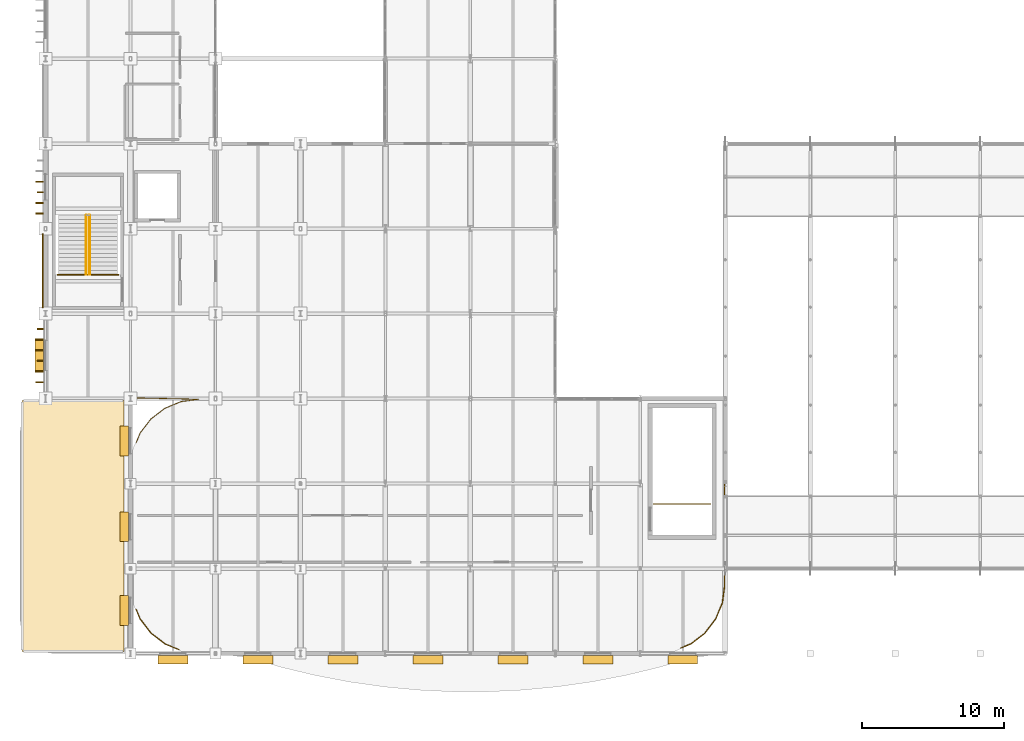
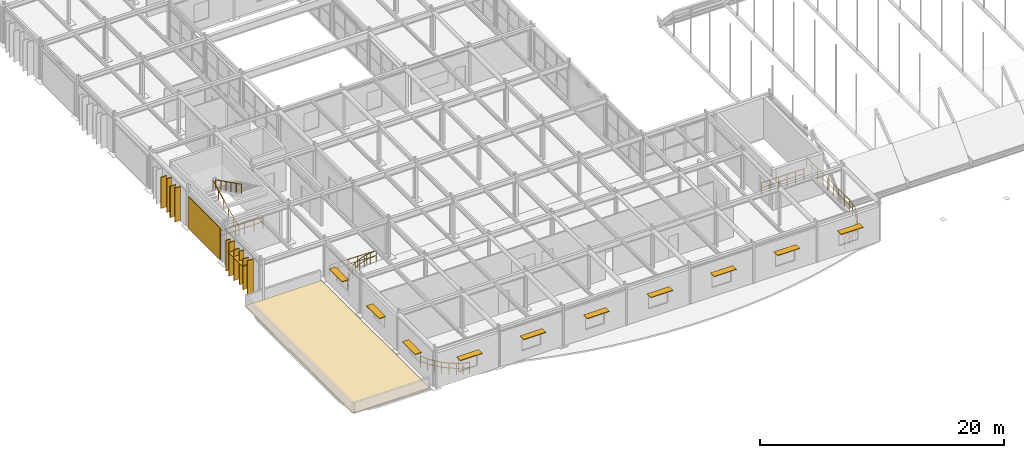
# One storey, part 104 of 116: 12 shading devices, 11 coverings, 7 railings.
"""IFC4 building model written with IfcOpenShell, lengths in metres."""

from ifc_helpers import new_model, si_unit, direction, frame, origin, origin_2d, place, context, subcontext, project, spatial, polyline, rectangle, circle, outline, extrude, material, layer, layer_set, type_object, element, save


model = new_model("IFC4")

# Units and contexts
model_context = context("Model", 3, precision=1e-05, world=origin(), true_north=direction((0.0, 1.0)))
body_context = subcontext(model_context, "Body", "Model", "MODEL_VIEW")
ifc_project = project(units=[si_unit("LENGTHUNIT", "METRE"), si_unit("AREAUNIT", "SQUARE_METRE"), si_unit("VOLUMEUNIT", "CUBIC_METRE"), si_unit("PLANEANGLEUNIT", "RADIAN"), si_unit("MASSUNIT", "GRAM", prefix="KILO")], contexts=[model_context])

# Site, building, storey
site_placement = place(None, origin())
site = spatial("IfcSite", under=ifc_project, at=site_placement, CompositionType="ELEMENT")
building_placement = place(site_placement, origin())
building = spatial("IfcBuilding", under=site, at=building_placement, Name="Varnakota Square Police Headquarters", CompositionType="ELEMENT")
storey_placement = place(building_placement, frame((0.0, 0.0, 9.300048828125)))
storey = spatial("IfcBuildingStorey", under=building, at=storey_placement, Name="L02", CompositionType="ELEMENT", Elevation=9.300048828125)

# Coverings
ifc_material_1 = material(Name="White Anodised Aluminium Vertical Facade Blade 420", Category="aluminium")
ifc_layer_1 = layer(ifc_material_1, 0.0849609375, Name="White Anodised Aluminium Vertical Facade Blade 420")
ifc_layer_set_1 = layer_set([ifc_layer_1], Name="White Anodised Aluminium Vertical Facade Blade 420")
covering_type_1 = type_object("IfcCoveringType", Name="COV-FIN-420", PredefinedType="CLADDING", material=ifc_layer_set_1)
covering_1_placement = place(storey_placement, frame((5.635009765625, 23.66259765625, 0.0400390625), z_axis=(0.0, 0.0, 1.0), x_axis=(0.0, 1.0, 0.0)))
element("IfcCovering", 1, at=covering_1_placement, inside=storey, type_object=covering_type_1, Name="Vertical aluminium facade fin FIN-0950", PredefinedType="CLADDING", context=body_context, shape_type="SweptSolid", body=[
    extrude(rectangle(XDim=0.0849609375, YDim=0.419921875, at=origin_2d()), origin(), (0.0, 0.0, 1.0), 3.360107421875),
])
covering_2_placement = place(storey_placement, frame((5.635009765625, 25.91259765625, 0.039794921875), z_axis=(0.0, 0.0, 1.0), x_axis=(0.0, 1.0, 0.0)))
element("IfcCovering", 2, at=covering_2_placement, inside=storey, type_object=covering_type_1, Name="Vertical aluminium facade fin FIN-0953", PredefinedType="CLADDING", context=body_context, shape_type="SweptSolid", body=[
    extrude(rectangle(XDim=0.0849609375, YDim=0.419921875, at=origin_2d()), origin(), (0.0, 0.0, 1.0), 3.080078125),
])
covering_3_placement = place(storey_placement, frame((5.635009765625, 35.5625, 0.0400390625), z_axis=(0.0, 0.0, 1.0), x_axis=(0.0, 1.0, 0.0)))
element("IfcCovering", 3, at=covering_3_placement, inside=storey, type_object=covering_type_1, Name="Vertical aluminium facade fin FIN-0956", PredefinedType="CLADDING", context=body_context, shape_type="SweptSolid", body=[
    extrude(rectangle(XDim=0.0849609375, YDim=0.419921875, at=origin_2d()), origin(), (0.0, 0.0, 1.0), 3.403564453125),
])
ifc_material_2 = material(Name="White Anodised Aluminium Vertical Facade Blade 550", Category="aluminium")
ifc_layer_2 = layer(ifc_material_2, 0.0849609375, Name="White Anodised Aluminium Vertical Facade Blade 550")
ifc_layer_set_2 = layer_set([ifc_layer_2], Name="White Anodised Aluminium Vertical Facade Blade 550")
covering_type_2 = type_object("IfcCoveringType", Name="COV-FIN-550", PredefinedType="CLADDING", material=ifc_layer_set_2)
covering_4_placement = place(storey_placement, frame((5.570068359375, 22.16259765625, 0.0400390625), z_axis=(0.0, 0.0, 1.0), x_axis=(0.0, 1.0, 0.0)))
element("IfcCovering", 4, at=covering_4_placement, inside=storey, type_object=covering_type_2, Name="Vertical aluminium facade fin FIN-0948", PredefinedType="CLADDING", context=body_context, shape_type="SweptSolid", body=[
    extrude(rectangle(XDim=0.0849609375, YDim=0.550048828125, at=origin_2d()), origin(), (0.0, 0.0, 1.0), 3.360107421875),
])
for number, where, z_axis, x_axis, name in (
    (5, (5.570068359375, 22.91259765625, 0.039794921875), (0.0, 0.0, 1.0), (0.0, 1.0, 0.0), "Vertical aluminium facade fin FIN-0949"),
    (6, (5.570068359375, 24.41259765625, 0.039794921875), (0.0, 0.0, 1.0), (0.0, 1.0, 0.0), "Vertical aluminium facade fin FIN-0951"),
):
    element("IfcCovering", number, at=place(storey_placement, frame(where, z_axis=z_axis, x_axis=x_axis)), inside=storey, type_object=covering_type_2, Name=name, PredefinedType="CLADDING", context=body_context, shape_type="SweptSolid", body=[
        extrude(rectangle(XDim=0.0849609375, YDim=0.550048828125, at=origin_2d()), origin(), (0.0, 0.0, 1.0), 3.080078125),
    ])
covering_5_placement = place(storey_placement, frame((5.570068359375, 25.16259765625, 0.0400390625), z_axis=(0.0, 0.0, 1.0), x_axis=(0.0, 1.0, 0.0)))
element("IfcCovering", 7, at=covering_5_placement, inside=storey, type_object=covering_type_2, Name="Vertical aluminium facade fin FIN-0952", PredefinedType="CLADDING", context=body_context, shape_type="SweptSolid", body=[
    extrude(rectangle(XDim=0.0849609375, YDim=0.550048828125, at=origin_2d()), origin(), (0.0, 0.0, 1.0), 3.360107421875),
])
covering_6_placement = place(storey_placement, frame((5.570068359375, 34.0625, 0.0400390625), z_axis=(0.0, 0.0, 1.0), x_axis=(0.0, 1.0, 0.0)))
element("IfcCovering", 8, at=covering_6_placement, inside=storey, type_object=covering_type_2, Name="Vertical aluminium facade fin FIN-0954", PredefinedType="CLADDING", context=body_context, shape_type="SweptSolid", body=[
    extrude(rectangle(XDim=0.0849609375, YDim=0.550048828125, at=origin_2d()), origin(), (0.0, 0.0, 1.0), 3.403564453125),
])
for number, where, z_axis, x_axis, name in (
    (9, (5.570068359375, 34.8125, 0.0400390625), (0.0, 0.0, 1.0), (0.0, 1.0, 0.0), "Vertical aluminium facade fin FIN-0955"),
    (10, (5.570068359375, 36.3125, 0.0400390625), (0.0, 0.0, 1.0), (0.0, 1.0, 0.0), "Vertical aluminium facade fin FIN-0957"),
):
    element("IfcCovering", number, at=place(storey_placement, frame(where, z_axis=z_axis, x_axis=x_axis)), inside=storey, type_object=covering_type_2, Name=name, PredefinedType="CLADDING", context=body_context, shape_type="SweptSolid", body=[
        extrude(rectangle(XDim=0.0849609375, YDim=0.550048828125, at=origin_2d()), origin(), (0.0, 0.0, 1.0), 3.12353515625),
    ])
ifc_material_3 = material(Name="High-Albedo White TPO Waterproofing Membrane")
ifc_layer_3 = layer(ifc_material_3, 0.0400390625, Name="High-Albedo White TPO Waterproofing Membrane")
ifc_layer_set_3 = layer_set([ifc_layer_3], Name="High-Albedo White TPO Waterproofing Membrane")
covering_type_3 = type_object("IfcCoveringType", Name="COV-RF-MEM", PredefinedType="ROOFING", material=ifc_layer_set_3)
covering_7_placement = place(storey_placement, origin())
element("IfcCovering", 11, at=covering_7_placement, inside=storey, type_object=covering_type_3, Name="Roof waterproofing membrane RF-L02-CANT", PredefinedType="ROOFING", context=body_context, shape_type="SweptSolid", body=[
    extrude(outline(polyline([(4.35009765625, 3.14990234375), (11.550048828125, 3.14990234375), (11.550048828125, 20.85009765625), (4.35009765625, 20.85009765625), (4.35009765625, 3.14990234375)])), origin(), (0.0, 0.0, 1.0), 0.0400390625),
])

# Railings
ifc_material_4 = material(Name="Galvanised Powder-Coated Steel Guardrail", Category="steel")
railing_type_1 = type_object("IfcRailingType", Name="RL-BAL-1150", PredefinedType="BALUSTRADE", material=ifc_material_4)
railing_1_placement = place(storey_placement, frame((12.39990234375, 17.88232421875, 0.0)))
element("IfcRailing", 12, at=railing_1_placement, inside=storey, type_object=railing_type_1, Name="Perimeter edge safety guard GD-AUTO-L02-053", PredefinedType="BALUSTRADE", context=body_context, shape_type="SweptSolid", body=[
    extrude(circle(Radius=0.02392578125, at=origin_2d()), frame((0.0, 0.0, 1.1259765625), z_axis=(0.382764159359, 0.923846090163, 0.0), x_axis=(-0.923846090163, 0.382764159359, 0.0)), (0.0, 0.0, 1.0), 0.74951171875),
    extrude(circle(Radius=0.01806640625, at=origin_2d()), frame((0.0, 0.0, 0.63232421875), z_axis=(0.382764159359, 0.923846090163, 0.0), x_axis=(-0.923846090163, 0.382764159359, 0.0)), (0.0, 0.0, 1.0), 0.74951171875),
    extrude(circle(Radius=0.02392578125, at=origin_2d()), frame((0.286865234375, 0.6923828125, 1.1259765625), z_axis=(0.608815903339, 0.793311537696, 0.0), x_axis=(-0.793311537696, 0.608815903339, 0.0)), (0.0, 0.0, 1.0), 1.239990234375),
    extrude(circle(Radius=0.01806640625, at=origin_2d()), frame((0.286865234375, 0.6923828125, 0.63232421875), z_axis=(0.608815903339, 0.793311537696, 0.0), x_axis=(-0.793311537696, 0.608815903339, 0.0)), (0.0, 0.0, 1.0), 1.239990234375),
    extrude(circle(Radius=0.02392578125, at=origin_2d()), frame((1.041748046875, 1.676025390625, 1.1259765625), z_axis=(0.793311537696, 0.608815903339, 0.0), x_axis=(-0.608815903339, 0.793311537696, 0.0)), (0.0, 0.0, 1.0), 1.239990234375),
    extrude(circle(Radius=0.01806640625, at=origin_2d()), frame((1.041748046875, 1.676025390625, 0.63232421875), z_axis=(0.793311537696, 0.608815903339, 0.0), x_axis=(-0.608815903339, 0.793311537696, 0.0)), (0.0, 0.0, 1.0), 1.239990234375),
    extrude(circle(Radius=0.02392578125, at=origin_2d()), frame((2.025390625, 2.430908203125, 1.1259765625), z_axis=(0.92391364461, 0.38260106809, 0.0), x_axis=(-0.38260106809, 0.92391364461, 0.0)), (0.0, 0.0, 1.0), 1.23974609375),
    extrude(circle(Radius=0.01806640625, at=origin_2d()), frame((2.025390625, 2.430908203125, 0.63232421875), z_axis=(0.92391364461, 0.38260106809, 0.0), x_axis=(-0.38260106809, 0.92391364461, 0.0)), (0.0, 0.0, 1.0), 1.23974609375),
    extrude(circle(Radius=0.02392578125, at=origin_2d()), frame((3.1708984375, 2.9052734375, 1.1259765625), z_axis=(0.991426936422, 0.130662273581, 0.0), x_axis=(-0.130662273581, 0.991426936422, 0.0)), (0.0, 0.0, 1.0), 1.246337890625),
    extrude(circle(Radius=0.01806640625, at=origin_2d()), frame((3.1708984375, 2.9052734375, 0.63232421875), z_axis=(0.991426936422, 0.130662273581, 0.0), x_axis=(-0.130662273581, 0.991426936422, 0.0)), (0.0, 0.0, 1.0), 1.246337890625),
    extrude(circle(Radius=0.02392578125, at=origin_2d()), frame((4.406494140625, 3.068115234375, 1.1259765625), z_axis=(-0.999744997509, 0.022581850135, 0.0), x_axis=(-0.022581850135, -0.999744997509, 0.0)), (0.0, 0.0, 1.0), 4.4111328125),
    extrude(circle(Radius=0.01806640625, at=origin_2d()), frame((4.406494140625, 3.068115234375, 0.63232421875), z_axis=(-0.999744997509, 0.022581850135, 0.0), x_axis=(-0.022581850135, -0.999744997509, 0.0)), (0.0, 0.0, 1.0), 4.4111328125),
    extrude(circle(Radius=0.02099609375, at=origin_2d()), origin(), (0.0, 0.0, 1.0), 1.101806640625),
    extrude(circle(Radius=0.02099609375, at=origin_2d()), frame((0.286865234375, 0.6923828125, 0.0)), (0.0, 0.0, 1.0), 1.101806640625),
    extrude(circle(Radius=0.02099609375, at=origin_2d()), frame((0.664306640625, 1.18408203125, 0.0)), (0.0, 0.0, 1.0), 1.101806640625),
    extrude(circle(Radius=0.02099609375, at=origin_2d()), frame((1.041748046875, 1.676025390625, 0.0)), (0.0, 0.0, 1.0), 1.101806640625),
    extrude(circle(Radius=0.02099609375, at=origin_2d()), frame((1.53369140625, 2.053466796875, 0.0)), (0.0, 0.0, 1.0), 1.101806640625),
    extrude(circle(Radius=0.02099609375, at=origin_2d()), frame((2.025390625, 2.430908203125, 0.0)), (0.0, 0.0, 1.0), 1.101806640625),
    extrude(circle(Radius=0.02099609375, at=origin_2d()), frame((2.59814453125, 2.66796875, 0.0)), (0.0, 0.0, 1.0), 1.101806640625),
    extrude(circle(Radius=0.02099609375, at=origin_2d()), frame((3.1708984375, 2.9052734375, 0.0)), (0.0, 0.0, 1.0), 1.101806640625),
    extrude(circle(Radius=0.02099609375, at=origin_2d()), frame((3.78857421875, 2.98681640625, 0.0)), (0.0, 0.0, 1.0), 1.101806640625),
    extrude(circle(Radius=0.02099609375, at=origin_2d()), frame((4.406494140625, 3.068115234375, 0.0)), (0.0, 0.0, 1.0), 1.101806640625),
    extrude(circle(Radius=0.02099609375, at=origin_2d()), frame((3.5244140625, 3.088134765625, 0.0)), (0.0, 0.0, 1.0), 1.101806640625),
    extrude(circle(Radius=0.02099609375, at=origin_2d()), frame((2.642578125, 3.10791015625, 0.0)), (0.0, 0.0, 1.0), 1.101806640625),
    extrude(circle(Radius=0.02099609375, at=origin_2d()), frame((1.760498046875, 3.1279296875, 0.0)), (0.0, 0.0, 1.0), 1.101806640625),
    extrude(circle(Radius=0.02099609375, at=origin_2d()), frame((0.878662109375, 3.147705078125, 0.0)), (0.0, 0.0, 1.0), 1.101806640625),
    extrude(circle(Radius=0.02099609375, at=origin_2d()), frame((-0.00341796875, 3.167724609375, 0.0)), (0.0, 0.0, 1.0), 1.101806640625),
])
railing_2_placement = place(storey_placement, frame((53.949951171875, 14.9287109375, 0.0)))
element("IfcRailing", 13, at=railing_2_placement, inside=storey, type_object=railing_type_1, Name="Perimeter edge safety guard GD-AUTO-L02-064", PredefinedType="BALUSTRADE", context=body_context, shape_type="SweptSolid", body=[
    extrude(circle(Radius=0.02392578125, at=origin_2d()), frame((0.0, 0.0, 1.1259765625), z_axis=(0.0, -1.0, 0.0), x_axis=(1.0, 0.0, 0.0)), (0.0, 0.0, 1.0), 7.12548828125),
    extrude(circle(Radius=0.01806640625, at=origin_2d()), frame((0.0, 0.0, 0.63232421875), z_axis=(0.0, -1.0, 0.0), x_axis=(1.0, 0.0, 0.0)), (0.0, 0.0, 1.0), 7.12548828125),
    extrude(circle(Radius=0.02392578125, at=origin_2d()), frame((0.0, -7.12548828125, 1.1259765625), z_axis=(-0.130606925998, -0.991434229226, 0.0), x_axis=(0.991434229226, -0.130606925998, 0.0)), (0.0, 0.0, 1.0), 1.2431640625),
    extrude(circle(Radius=0.01806640625, at=origin_2d()), frame((0.0, -7.12548828125, 0.63232421875), z_axis=(-0.130606925998, -0.991434229226, 0.0), x_axis=(0.991434229226, -0.130606925998, 0.0)), (0.0, 0.0, 1.0), 1.2431640625),
    extrude(circle(Radius=0.02392578125, at=origin_2d()), frame((-0.162353515625, -8.35791015625, 1.1259765625), z_axis=(-0.38260106809, -0.92391364461, 0.0), x_axis=(0.92391364461, -0.38260106809, 0.0)), (0.0, 0.0, 1.0), 1.23974609375),
    extrude(circle(Radius=0.01806640625, at=origin_2d()), frame((-0.162353515625, -8.35791015625, 0.63232421875), z_axis=(-0.38260106809, -0.92391364461, 0.0), x_axis=(0.92391364461, -0.38260106809, 0.0)), (0.0, 0.0, 1.0), 1.23974609375),
    extrude(circle(Radius=0.02392578125, at=origin_2d()), frame((-0.63671875, -9.50341796875, 1.1259765625), z_axis=(-0.608815903339, -0.793311537696, 0.0), x_axis=(0.793311537696, -0.608815903339, 0.0)), (0.0, 0.0, 1.0), 1.239990234375),
    extrude(circle(Radius=0.01806640625, at=origin_2d()), frame((-0.63671875, -9.50341796875, 0.63232421875), z_axis=(-0.608815903339, -0.793311537696, 0.0), x_axis=(0.793311537696, -0.608815903339, 0.0)), (0.0, 0.0, 1.0), 1.239990234375),
    extrude(circle(Radius=0.02392578125, at=origin_2d()), frame((-1.3916015625, -10.487060546875, 1.1259765625), z_axis=(-0.793311537696, -0.608815903339, 0.0), x_axis=(0.608815903339, -0.793311537696, 0.0)), (0.0, 0.0, 1.0), 1.239990234375),
    extrude(circle(Radius=0.01806640625, at=origin_2d()), frame((-1.3916015625, -10.487060546875, 0.63232421875), z_axis=(-0.793311537696, -0.608815903339, 0.0), x_axis=(0.608815903339, -0.793311537696, 0.0)), (0.0, 0.0, 1.0), 1.239990234375),
    extrude(circle(Radius=0.02392578125, at=origin_2d()), frame((-2.375244140625, -11.241943359375, 1.1259765625), z_axis=(-0.923846090163, -0.382764159359, 0.0), x_axis=(0.382764159359, -0.923846090163, 0.0)), (0.0, 0.0, 1.0), 0.74951171875),
    extrude(circle(Radius=0.01806640625, at=origin_2d()), frame((-2.375244140625, -11.241943359375, 0.63232421875), z_axis=(-0.923846090163, -0.382764159359, 0.0), x_axis=(0.382764159359, -0.923846090163, 0.0)), (0.0, 0.0, 1.0), 0.74951171875),
    extrude(circle(Radius=0.02099609375, at=origin_2d()), origin(), (0.0, 0.0, 1.0), 1.101806640625),
    extrude(circle(Radius=0.02099609375, at=origin_2d()), frame((0.0, -0.890625, 0.0)), (0.0, 0.0, 1.0), 1.101806640625),
    extrude(circle(Radius=0.02099609375, at=origin_2d()), frame((0.0, -1.78125, 0.0)), (0.0, 0.0, 1.0), 1.101806640625),
    extrude(circle(Radius=0.02099609375, at=origin_2d()), frame((0.0, -2.672119140625, 0.0)), (0.0, 0.0, 1.0), 1.101806640625),
    extrude(circle(Radius=0.02099609375, at=origin_2d()), frame((0.0, -3.562744140625, 0.0)), (0.0, 0.0, 1.0), 1.101806640625),
    extrude(circle(Radius=0.02099609375, at=origin_2d()), frame((0.0, -4.453369140625, 0.0)), (0.0, 0.0, 1.0), 1.101806640625),
    extrude(circle(Radius=0.02099609375, at=origin_2d()), frame((0.0, -5.34423828125, 0.0)), (0.0, 0.0, 1.0), 1.101806640625),
    extrude(circle(Radius=0.02099609375, at=origin_2d()), frame((0.0, -6.23486328125, 0.0)), (0.0, 0.0, 1.0), 1.101806640625),
    extrude(circle(Radius=0.02099609375, at=origin_2d()), frame((0.0, -7.12548828125, 0.0)), (0.0, 0.0, 1.0), 1.101806640625),
    extrude(circle(Radius=0.02099609375, at=origin_2d()), frame((-0.0810546875, -7.74169921875, 0.0)), (0.0, 0.0, 1.0), 1.101806640625),
    extrude(circle(Radius=0.02099609375, at=origin_2d()), frame((-0.162353515625, -8.35791015625, 0.0)), (0.0, 0.0, 1.0), 1.101806640625),
    extrude(circle(Radius=0.02099609375, at=origin_2d()), frame((-0.3994140625, -8.9306640625, 0.0)), (0.0, 0.0, 1.0), 1.101806640625),
    extrude(circle(Radius=0.02099609375, at=origin_2d()), frame((-0.63671875, -9.50341796875, 0.0)), (0.0, 0.0, 1.0), 1.101806640625),
    extrude(circle(Radius=0.02099609375, at=origin_2d()), frame((-1.01416015625, -9.9951171875, 0.0)), (0.0, 0.0, 1.0), 1.101806640625),
    extrude(circle(Radius=0.02099609375, at=origin_2d()), frame((-1.3916015625, -10.487060546875, 0.0)), (0.0, 0.0, 1.0), 1.101806640625),
    extrude(circle(Radius=0.02099609375, at=origin_2d()), frame((-1.88330078125, -10.864501953125, 0.0)), (0.0, 0.0, 1.0), 1.101806640625),
    extrude(circle(Radius=0.02099609375, at=origin_2d()), frame((-2.375244140625, -11.241943359375, 0.0)), (0.0, 0.0, 1.0), 1.101806640625),
    extrude(circle(Radius=0.02099609375, at=origin_2d()), frame((-3.067626953125, -11.52880859375, 0.0)), (0.0, 0.0, 1.0), 1.101806640625),
])
railing_3_placement = place(storey_placement, frame((15.4072265625, 3.280029296875, 0.0)))
element("IfcRailing", 14, at=railing_3_placement, inside=storey, type_object=railing_type_1, Name="Perimeter edge safety guard GD-AUTO-L02-065", PredefinedType="BALUSTRADE", context=body_context, shape_type="SweptSolid", body=[
    extrude(circle(Radius=0.02392578125, at=origin_2d()), frame((0.0, 0.0, 1.1259765625), z_axis=(-0.923876848216, 0.382689912762, 0.0), x_axis=(-0.382689912762, -0.923876848216, 0.0)), (0.0, 0.0, 1.0), 1.062744140625),
    extrude(circle(Radius=0.01806640625, at=origin_2d()), frame((0.0, 0.0, 0.63232421875), z_axis=(-0.923876848216, 0.382689912762, 0.0), x_axis=(-0.382689912762, -0.923876848216, 0.0)), (0.0, 0.0, 1.0), 1.062744140625),
    extrude(circle(Radius=0.02392578125, at=origin_2d()), frame((-0.98193359375, 0.40673828125, 1.1259765625), z_axis=(-0.793311537696, 0.608815903339, 0.0), x_axis=(-0.608815903339, -0.793311537696, 0.0)), (0.0, 0.0, 1.0), 1.239990234375),
    extrude(circle(Radius=0.01806640625, at=origin_2d()), frame((-0.98193359375, 0.40673828125, 0.63232421875), z_axis=(-0.793311537696, 0.608815903339, 0.0), x_axis=(-0.608815903339, -0.793311537696, 0.0)), (0.0, 0.0, 1.0), 1.239990234375),
    extrude(circle(Radius=0.02392578125, at=origin_2d()), frame((-1.965576171875, 1.16162109375, 1.1259765625), z_axis=(-0.608815903339, 0.793311537696, 0.0), x_axis=(-0.793311537696, -0.608815903339, 0.0)), (0.0, 0.0, 1.0), 1.239990234375),
    extrude(circle(Radius=0.01806640625, at=origin_2d()), frame((-1.965576171875, 1.16162109375, 0.63232421875), z_axis=(-0.608815903339, 0.793311537696, 0.0), x_axis=(-0.793311537696, -0.608815903339, 0.0)), (0.0, 0.0, 1.0), 1.239990234375),
    extrude(circle(Radius=0.02392578125, at=origin_2d()), frame((-2.720458984375, 2.145263671875, 1.1259765625), z_axis=(-0.382764159359, 0.923846090163, 0.0), x_axis=(-0.923846090163, -0.382764159359, 0.0)), (0.0, 0.0, 1.0), 0.74951171875),
    extrude(circle(Radius=0.01806640625, at=origin_2d()), frame((-2.720458984375, 2.145263671875, 0.63232421875), z_axis=(-0.382764159359, 0.923846090163, 0.0), x_axis=(-0.923846090163, -0.382764159359, 0.0)), (0.0, 0.0, 1.0), 0.74951171875),
    extrude(circle(Radius=0.02099609375, at=origin_2d()), origin(), (0.0, 0.0, 1.0), 1.101806640625),
    extrude(circle(Radius=0.02099609375, at=origin_2d()), frame((-0.490966796875, 0.203369140625, 0.0)), (0.0, 0.0, 1.0), 1.101806640625),
    extrude(circle(Radius=0.02099609375, at=origin_2d()), frame((-0.98193359375, 0.40673828125, 0.0)), (0.0, 0.0, 1.0), 1.101806640625),
    extrude(circle(Radius=0.02099609375, at=origin_2d()), frame((-1.4736328125, 0.7841796875, 0.0)), (0.0, 0.0, 1.0), 1.101806640625),
    extrude(circle(Radius=0.02099609375, at=origin_2d()), frame((-1.965576171875, 1.16162109375, 0.0)), (0.0, 0.0, 1.0), 1.101806640625),
    extrude(circle(Radius=0.02099609375, at=origin_2d()), frame((-2.343017578125, 1.6533203125, 0.0)), (0.0, 0.0, 1.0), 1.101806640625),
    extrude(circle(Radius=0.02099609375, at=origin_2d()), frame((-2.720458984375, 2.145263671875, 0.0)), (0.0, 0.0, 1.0), 1.101806640625),
    extrude(circle(Radius=0.02099609375, at=origin_2d()), frame((-3.00732421875, 2.837646484375, 0.0)), (0.0, 0.0, 1.0), 1.101806640625),
])
ifc_material_5 = material(Name="Brushed Stainless Steel Tubular Handrail", Category="steel")
railing_type_2 = type_object("IfcRailingType", Name="RL-HND-920", PredefinedType="HANDRAIL", material=ifc_material_5)
railing_4_placement = place(storey_placement, frame((8.8798828125, 29.75, 0.0)))
element("IfcRailing", 15, at=railing_4_placement, inside=storey, type_object=railing_type_2, Name="Stair flight handrail HR-L02-047", PredefinedType="HANDRAIL", context=body_context, shape_type="SweptSolid", body=[
    extrude(circle(Radius=0.02392578125, at=origin_2d()), frame((0.0, 0.0, 0.89599609375), z_axis=(0.0, 0.894468775824, 0.447130416184), x_axis=(-1.0, 0.0, 0.0)), (0.0, 0.0, 1.0), 4.6962890625),
    extrude(circle(Radius=0.02099609375, at=origin_2d()), origin(), (0.0, 0.0, 1.0), 0.871826171875),
    extrude(circle(Radius=0.02099609375, at=origin_2d()), frame((0.0, 0.840087890625, 0.419921875)), (0.0, 0.0, 1.0), 0.871826171875),
    extrude(circle(Radius=0.02099609375, at=origin_2d()), frame((0.0, 1.68017578125, 0.83984375)), (0.0, 0.0, 1.0), 0.871826171875),
    extrude(circle(Radius=0.02099609375, at=origin_2d()), frame((0.0, 2.5205078125, 1.260009765625)), (0.0, 0.0, 1.0), 0.871826171875),
    extrude(circle(Radius=0.02099609375, at=origin_2d()), frame((0.0, 3.360595703125, 1.679931640625)), (0.0, 0.0, 1.0), 0.871826171875),
    extrude(circle(Radius=0.02099609375, at=origin_2d()), frame((0.0, 4.20068359375, 2.099853515625)), (0.0, 0.0, 1.0), 0.871826171875),
])
railing_5_placement = place(storey_placement, frame((9.1201171875, 33.95068359375, 2.099853515625)))
element("IfcRailing", 16, at=railing_5_placement, inside=storey, type_object=railing_type_2, Name="Stair flight handrail HR-L02-048", PredefinedType="HANDRAIL", context=body_context, shape_type="SweptSolid", body=[
    extrude(circle(Radius=0.02392578125, at=origin_2d()), frame((0.0, 0.0, 0.89599609375), z_axis=(0.0, -0.894447983895, 0.447172007292), x_axis=(1.0, 0.0, 0.0)), (0.0, 0.0, 1.0), 4.6962890625),
    extrude(circle(Radius=0.02099609375, at=origin_2d()), origin(), (0.0, 0.0, 1.0), 0.871826171875),
    extrude(circle(Radius=0.02099609375, at=origin_2d()), frame((0.0, -0.840087890625, 0.419921875)), (0.0, 0.0, 1.0), 0.871826171875),
    extrude(circle(Radius=0.02099609375, at=origin_2d()), frame((0.0, -1.68017578125, 0.840087890625)), (0.0, 0.0, 1.0), 0.871826171875),
    extrude(circle(Radius=0.02099609375, at=origin_2d()), frame((0.0, -2.5205078125, 1.260009765625)), (0.0, 0.0, 1.0), 0.871826171875),
    extrude(circle(Radius=0.02099609375, at=origin_2d()), frame((0.0, -3.360595703125, 1.68017578125)), (0.0, 0.0, 1.0), 0.871826171875),
    extrude(circle(Radius=0.02099609375, at=origin_2d()), frame((0.0, -4.20068359375, 2.10009765625)), (0.0, 0.0, 1.0), 0.871826171875),
])
ifc_material_6 = material(Name="Laminated Glass and Stainless Steel Balustrade", Category="steel")
railing_type_3 = type_object("IfcRailingType", Name="RL-INT-1150", PredefinedType="BALUSTRADE", material=ifc_material_6)
railing_6_placement = place(storey_placement, frame((6.840087890625, 29.75, 0.0)))
element("IfcRailing", 17, at=railing_6_placement, inside=storey, type_object=railing_type_3, Name="Stair well safety guard C4 L02", PredefinedType="BALUSTRADE", context=body_context, shape_type="SweptSolid", body=[
    extrude(circle(Radius=0.02392578125, at=origin_2d()), frame((0.0, 0.0, 1.1259765625), z_axis=(1.0, 0.0, 0.0), x_axis=(0.0, 1.0, 0.0)), (0.0, 0.0, 1.0), 4.31982421875),
    extrude(circle(Radius=0.01806640625, at=origin_2d()), frame((0.0, 0.0, 0.63232421875), z_axis=(1.0, 0.0, 0.0), x_axis=(0.0, 1.0, 0.0)), (0.0, 0.0, 1.0), 4.31982421875),
    extrude(circle(Radius=0.02099609375, at=origin_2d()), origin(), (0.0, 0.0, 1.0), 1.101806640625),
    extrude(circle(Radius=0.02099609375, at=origin_2d()), frame((0.864013671875, 0.0, 0.0)), (0.0, 0.0, 1.0), 1.101806640625),
    extrude(circle(Radius=0.02099609375, at=origin_2d()), frame((1.72802734375, 0.0, 0.0)), (0.0, 0.0, 1.0), 1.101806640625),
    extrude(circle(Radius=0.02099609375, at=origin_2d()), frame((2.591796875, 0.0, 0.0)), (0.0, 0.0, 1.0), 1.101806640625),
    extrude(circle(Radius=0.02099609375, at=origin_2d()), frame((3.455810546875, 0.0, 0.0)), (0.0, 0.0, 1.0), 1.101806640625),
    extrude(circle(Radius=0.02099609375, at=origin_2d()), frame((4.31982421875, 0.0, 0.0)), (0.0, 0.0, 1.0), 1.101806640625),
])
railing_7_placement = place(storey_placement, frame((48.93994140625, 13.550048828125, 0.0)))
element("IfcRailing", 18, at=railing_7_placement, inside=storey, type_object=railing_type_3, Name="Stair well safety guard C10 L02", PredefinedType="BALUSTRADE", context=body_context, shape_type="SweptSolid", body=[
    extrude(circle(Radius=0.02392578125, at=origin_2d()), frame((0.0, 0.0, 1.1259765625), z_axis=(1.0, 0.0, 0.0), x_axis=(0.0, 1.0, 0.0)), (0.0, 0.0, 1.0), 4.02001953125),
    extrude(circle(Radius=0.01806640625, at=origin_2d()), frame((0.0, 0.0, 0.63232421875), z_axis=(1.0, 0.0, 0.0), x_axis=(0.0, 1.0, 0.0)), (0.0, 0.0, 1.0), 4.02001953125),
    extrude(circle(Radius=0.02099609375, at=origin_2d()), origin(), (0.0, 0.0, 1.0), 1.101806640625),
    extrude(circle(Radius=0.02099609375, at=origin_2d()), frame((0.803955078125, 0.0, 0.0)), (0.0, 0.0, 1.0), 1.101806640625),
    extrude(circle(Radius=0.02099609375, at=origin_2d()), frame((1.60791015625, 0.0, 0.0)), (0.0, 0.0, 1.0), 1.101806640625),
    extrude(circle(Radius=0.02099609375, at=origin_2d()), frame((2.412109375, 0.0, 0.0)), (0.0, 0.0, 1.0), 1.101806640625),
    extrude(circle(Radius=0.02099609375, at=origin_2d()), frame((3.216064453125, 0.0, 0.0)), (0.0, 0.0, 1.0), 1.101806640625),
    extrude(circle(Radius=0.02099609375, at=origin_2d()), frame((4.02001953125, 0.0, 0.0)), (0.0, 0.0, 1.0), 1.101806640625),
])

# Shading devices
ifc_material_7 = material(Name="Anodised Aluminium Horizontal Brise-Soleil", Category="aluminium")
ifc_layer_4 = layer(ifc_material_7, 0.06005859375, Name="Anodised Aluminium Horizontal Brise-Soleil")
ifc_layer_set_4 = layer_set([ifc_layer_4], Name="Anodised Aluminium Horizontal Brise-Soleil")
shading_device_type_1 = type_object("IfcShadingDeviceType", Name="SHD-JAL-600", PredefinedType="JALOUSIE", material=ifc_layer_set_4)
for number, where, z_axis, x_axis, name in (
    (19, (14.99755859375, 2.56201171875, 2.39990234375), (0.0, 0.0, 1.0), (1.0, 0.0, 0.0), "Horizontal sunshade SHD-003"),
    (20, (21.0, 2.56201171875, 2.39990234375), (0.0, 0.0, 1.0), (1.0, 0.0, 0.0), "Horizontal sunshade SHD-004"),
    (21, (27.00244140625, 2.56201171875, 2.39990234375), (0.0, 0.0, 1.0), (1.0, 0.0, 0.0), "Horizontal sunshade SHD-005"),
    (22, (32.99755859375, 2.56201171875, 2.39990234375), (0.0, 0.0, 1.0), (1.0, 0.0, 0.0), "Horizontal sunshade SHD-006"),
    (23, (39.0, 2.56201171875, 2.39990234375), (0.0, 0.0, 1.0), (1.0, 0.0, 0.0), "Horizontal sunshade SHD-007"),
    (24, (45.00244140625, 2.56201171875, 2.39990234375), (0.0, 0.0, 1.0), (1.0, 0.0, 0.0), "Horizontal sunshade SHD-008"),
    (25, (50.99755859375, 2.56201171875, 2.39990234375), (0.0, 0.0, 1.0), (1.0, 0.0, 0.0), "Horizontal sunshade SHD-009"),
    (26, (11.56201171875, 6.03759765625, 2.2998046875), (0.0, 0.0, 1.0), (0.0, 1.0, 0.0), "Horizontal sunshade SHD-010"),
    (27, (11.56201171875, 11.949951171875, 2.2998046875), (0.0, 0.0, 1.0), (0.0, 1.0, 0.0), "Horizontal sunshade SHD-011"),
    (28, (11.56201171875, 18.012451171875, 2.2998046875), (0.0, 0.0, 1.0), (0.0, 1.0, 0.0), "Horizontal sunshade SHD-012"),
):
    element("IfcShadingDevice", number, at=place(storey_placement, frame(where, z_axis=z_axis, x_axis=x_axis)), inside=storey, type_object=shading_device_type_1, Name=name, PredefinedType="JALOUSIE", context=body_context, shape_type="SweptSolid", body=[
        extrude(rectangle(XDim=2.10009765625, YDim=0.60009765625, at=origin_2d()), origin(), (0.0, 0.0, 1.0), 0.06005859375),
    ])
shading_device_1_placement = place(storey_placement, frame((5.5419921875, 24.03759765625, 2.39990234375), z_axis=(0.0, 0.0, 1.0), x_axis=(0.0, 1.0, 0.0)))
element("IfcShadingDevice", 29, at=shading_device_1_placement, inside=storey, type_object=shading_device_type_1, Name="Horizontal sunshade SHD-048", PredefinedType="JALOUSIE", context=body_context, shape_type="SweptSolid", body=[
    extrude(rectangle(XDim=2.39990234375, YDim=0.60009765625, at=origin_2d()), origin(), (0.0, 0.0, 1.0), 0.06005859375),
])
ifc_material_8 = material(Name="Perforated Sandstone-Toned GRC Jali Screen", Category="masonry")
ifc_layer_5 = layer(ifc_material_8, 0.080078125, Name="Perforated Sandstone-Toned GRC Jali Screen")
ifc_layer_set_5 = layer_set([ifc_layer_5], Name="Perforated Sandstone-Toned GRC Jali Screen")
shading_device_type_2 = type_object("IfcShadingDeviceType", Name="SHD-SCR-GRC", PredefinedType="USERDEFINED", material=ifc_layer_set_5)
shading_device_2_placement = place(storey_placement, frame((5.802001953125, 30.02490234375, 0.14990234375), z_axis=(0.0, 0.0, 1.0), x_axis=(0.0, 1.0, 0.0)))
element("IfcShadingDevice", 30, at=shading_device_2_placement, inside=storey, type_object=shading_device_type_2, Name="Perforated GRC solar screen SCR-009", ObjectType="SOLAR SCREEN", PredefinedType="USERDEFINED", context=body_context, shape_type="SweptSolid", body=[
    extrude(rectangle(XDim=5.241943359375, YDim=0.080078125, at=origin_2d()), origin(), (0.0, 0.0, 1.0), 3.139892578125),
])

save(model, "model.ifc")
